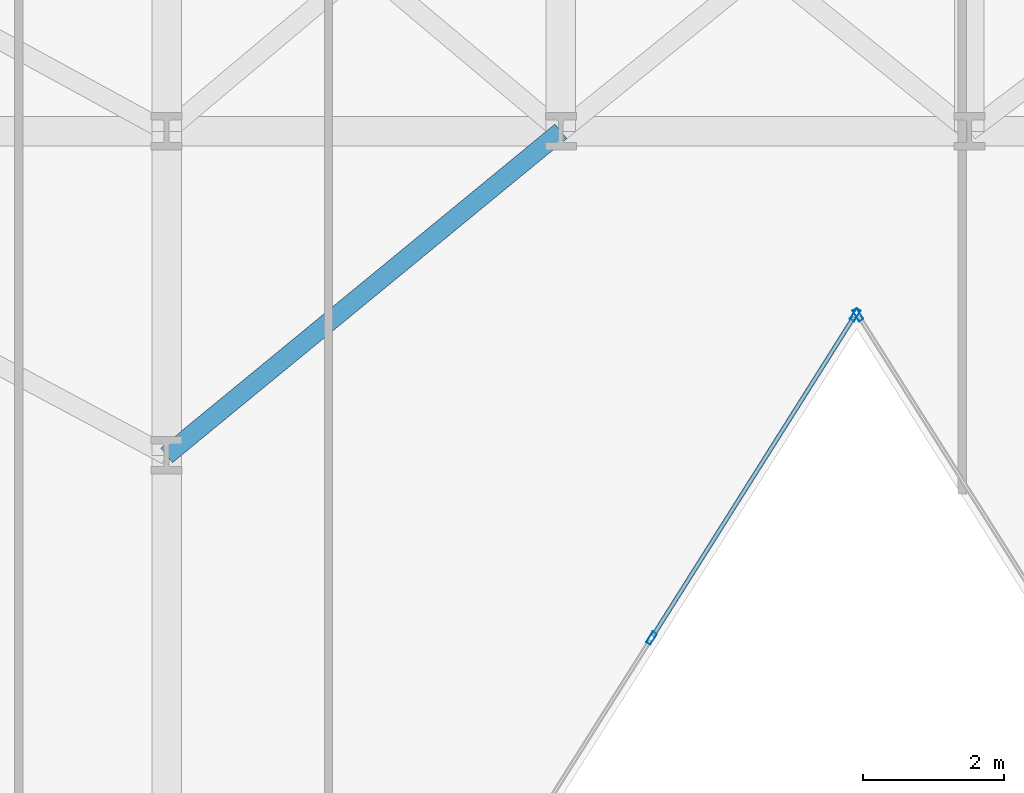
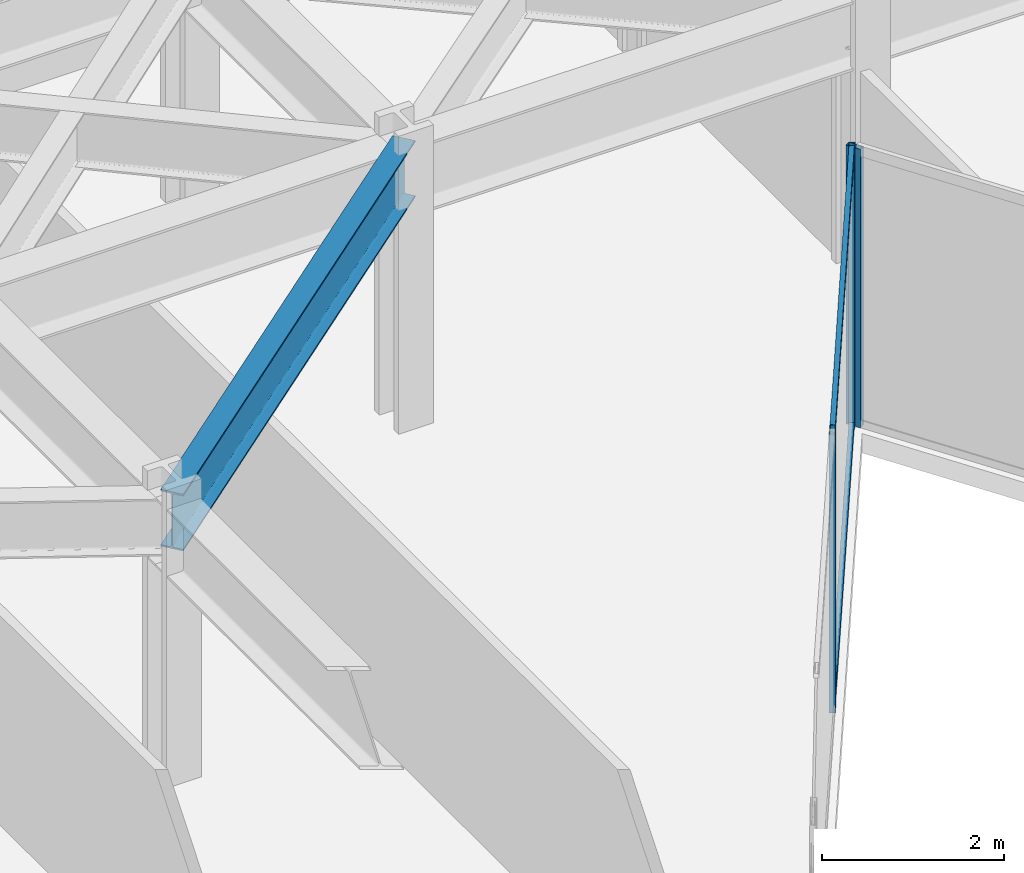
# One storey, part 10 of 24: 5 members, 1 beam, 2 elements without a shape of their own.
"""IFC4 building model written with IfcOpenShell, lengths in metres."""

from ifc_helpers import new_model, si_unit, direction, frame, origin, origin_2d, place, context, subcontext, project, spatial, hollow_rectangle, i_section, extrude, material, layer, layer_set, material_profile, profile_set, type_object, element, aggregate, save


model = new_model("IFC4")

# Units and contexts
model_context = context("Model", 3, precision=1e-05, world=origin(), true_north=direction((0.0, 1.0)))
body_context = subcontext(model_context, "Body", "Model", "MODEL_VIEW")
ifc_project = project(units=[si_unit("LENGTHUNIT", "METRE"), si_unit("AREAUNIT", "SQUARE_METRE"), si_unit("VOLUMEUNIT", "CUBIC_METRE"), si_unit("PLANEANGLEUNIT", "RADIAN"), si_unit("MASSUNIT", "GRAM", prefix="KILO")], contexts=[model_context])

# Site, building, storey
site_placement = place(None, origin())
site = spatial("IfcSite", under=ifc_project, at=site_placement, CompositionType="ELEMENT")
building_placement = place(site_placement, origin())
building = spatial("IfcBuilding", under=site, at=building_placement, Name="Kravanh Interchange Tower", CompositionType="ELEMENT")
storey_placement = place(building_placement, frame((0.0, 0.0, 45.5)))
storey = spatial("IfcBuildingStorey", under=building, at=storey_placement, Name="L10", CompositionType="ELEMENT", Elevation=45.5)

# Curtain wall, member
ifc_material_1 = material(Name="Anodised Bronze Aluminium", Category="aluminium")
ifc_layer = layer(ifc_material_1, 0.179931640625)
ifc_layer_set = layer_set([ifc_layer], Name="Unitised Curtain Wall System CW-Z1 Lower Office")
curtain_wall_type = type_object("IfcCurtainWallType", Name="Unitised Curtain Wall System CW-Z1 Lower Office", PredefinedType="NOTDEFINED", material=ifc_layer_set)
curtain_wall_1_placement = place(storey_placement, origin())
curtain_wall_1 = element("IfcCurtainWall", 1, at=curtain_wall_1_placement, inside=storey, type_object=curtain_wall_type, Name="L10 Unitised Curtain Wall CW-L10-04", PredefinedType="NOTDEFINED")
ifc_material_2 = material(Name="Anodised Bronze Aluminium", Category="aluminium")
ifc_material_profile_1 = material_profile(ifc_material_2, hollow_rectangle(XDim=0.070068359375, YDim=0.179931640625, WallThickness=0.00390625, at=origin_2d()), Name="ALU70X180X4")
ifc_profile_set_1 = profile_set([ifc_material_profile_1], Name="Anodised Bronze Aluminium")
member_type_1 = type_object("IfcMemberType", Name="Curtain Wall Mullion ALU70X180X4 Bronze", PredefinedType="MULLION", material=ifc_profile_set_1)
member_1_placement = place(storey_placement, frame((37.0185546875, 24.1953125, 0.0), z_axis=(0.0, 0.0, 1.0), x_axis=(-0.845925530786, -0.53330103728, 0.0)))
member_1 = element("IfcMember", 2, at=member_1_placement, type_object=member_type_1, Name="CW-Z1 mullion 6", PredefinedType="MULLION", context=body_context, shape_type="SweptSolid", body=[
    extrude(hollow_rectangle(XDim=0.070068359375, YDim=0.179931640625, WallThickness=0.00390625, at=origin_2d()), origin(), (0.0, 0.0, 1.0), 3.739990234375),
])
aggregate(curtain_wall_1, [member_1])

# Curtain wall, members
curtain_wall_2_placement = place(storey_placement, origin())
curtain_wall_2 = element("IfcCurtainWall", 3, at=curtain_wall_2_placement, inside=storey, type_object=curtain_wall_type, Name="L10 Unitised Curtain Wall CW-L10-05", PredefinedType="NOTDEFINED")
member_2_placement = place(storey_placement, frame((36.9814453125, 24.1953125, 0.0), z_axis=(0.0, 0.0, 1.0), x_axis=(0.845925530786, -0.53330103728, 0.0)))
member_2 = element("IfcMember", 4, at=member_2_placement, type_object=member_type_1, Name="CW-Z1 mullion 1", PredefinedType="MULLION", context=body_context, shape_type="SweptSolid", body=[
    extrude(hollow_rectangle(XDim=0.070068359375, YDim=0.179931640625, WallThickness=0.00390625, at=origin_2d()), origin(), (0.0, 0.0, 1.0), 3.739990234375),
])
member_3_placement = place(storey_placement, frame((34.086669921875, 19.60400390625, 0.0), z_axis=(0.0, 0.0, 1.0), x_axis=(0.845925530786, -0.53330103728, 0.0)))
member_3 = element("IfcMember", 5, at=member_3_placement, type_object=member_type_1, Name="CW-Z1 mullion 2", PredefinedType="MULLION", context=body_context, shape_type="SweptSolid", body=[
    extrude(hollow_rectangle(XDim=0.070068359375, YDim=0.179931640625, WallThickness=0.00390625, at=origin_2d()), origin(), (0.0, 0.0, 1.0), 3.739990234375),
])
ifc_material_3 = material(Name="Anodised Bronze Aluminium", Category="aluminium")
ifc_material_profile_2 = material_profile(ifc_material_3, hollow_rectangle(XDim=0.06005859375, YDim=0.139892578125, WallThickness=0.00390625, at=origin_2d()), Name="ALU60X140X4")
ifc_profile_set_2 = profile_set([ifc_material_profile_2], Name="Anodised Bronze Aluminium")
member_type_2 = type_object("IfcMemberType", Name="Curtain Wall Transom ALU60X140X4 Bronze", PredefinedType="USERDEFINED", material=ifc_profile_set_2)
member_4_placement = place(storey_placement, frame((36.962646484375, 24.165771484375, 0.030029296875), z_axis=(-0.533288163518, -0.845933646719, 0.0), x_axis=(0.845933646719, -0.533288163518, 0.0)))
member_4 = element("IfcMember", 6, at=member_4_placement, type_object=member_type_2, Name="CW-Z1 transom 1.1", ObjectType="TRANSOM", PredefinedType="USERDEFINED", context=body_context, shape_type="SweptSolid", body=[
    extrude(hollow_rectangle(XDim=0.06005859375, YDim=0.139892578125, WallThickness=0.00390625, at=origin_2d()), origin(), (0.0, 0.0, 1.0), 5.357666015625),
])
member_5_placement = place(storey_placement, frame((36.962646484375, 24.165771484375, 3.7099609375), z_axis=(-0.533288163518, -0.845933646719, 0.0), x_axis=(0.845933646719, -0.533288163518, 0.0)))
member_5 = element("IfcMember", 7, at=member_5_placement, type_object=member_type_2, Name="CW-Z1 transom 1.2", ObjectType="TRANSOM", PredefinedType="USERDEFINED", context=body_context, shape_type="SweptSolid", body=[
    extrude(hollow_rectangle(XDim=0.06005859375, YDim=0.139892578125, WallThickness=0.00390625, at=origin_2d()), origin(), (0.0, 0.0, 1.0), 5.357666015625),
])
aggregate(curtain_wall_2, [member_2, member_3, member_4, member_5])

# Beam
ifc_material_4 = material(Name="Structural Steel S355", Category="steel")
ifc_material_profile_3 = material_profile(ifc_material_4, i_section(OverallWidth=0.26708984375, OverallDepth=0.761962890625, WebThickness=0.014404296875, FlangeThickness=0.021484375, FilletRadius=0.02490234375, at=origin_2d()), Name="W30X116")
ifc_profile_set_3 = profile_set([ifc_material_profile_3], Name="Structural Steel S355")
beam_type = type_object("IfcBeamType", Name="Floor Spandrel W30X116 Structural Steel S355", PredefinedType="SPANDREL", material=ifc_profile_set_3)
beam_placement = place(storey_placement, frame((27.199951171875, 22.199951171875, 3.35888671875), z_axis=(0.772725074305, 0.634740860147, 0.0), x_axis=(-0.634740860147, 0.772725074305, 0.0)))
element("IfcBeam", 8, at=beam_placement, inside=storey, type_object=beam_type, Name="L10 Perimeter Spandrel 55", PredefinedType="SPANDREL", context=body_context, shape_type="SweptSolid", body=[
    extrude(i_section(OverallWidth=0.26708984375, OverallDepth=0.761962890625, WebThickness=0.014404296875, FlangeThickness=0.021484375, FilletRadius=0.02490234375, at=origin_2d()), origin(), (0.0, 0.0, 1.0), 7.247314453125),
])

save(model, "model.ifc")
